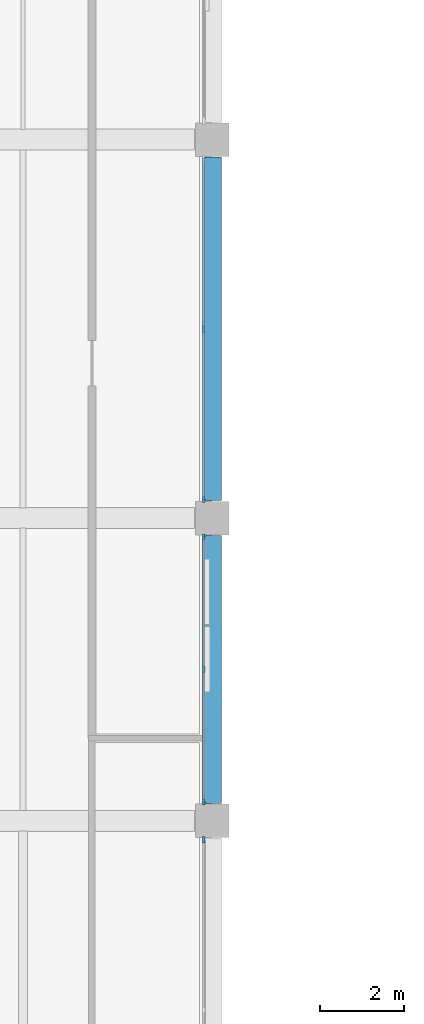
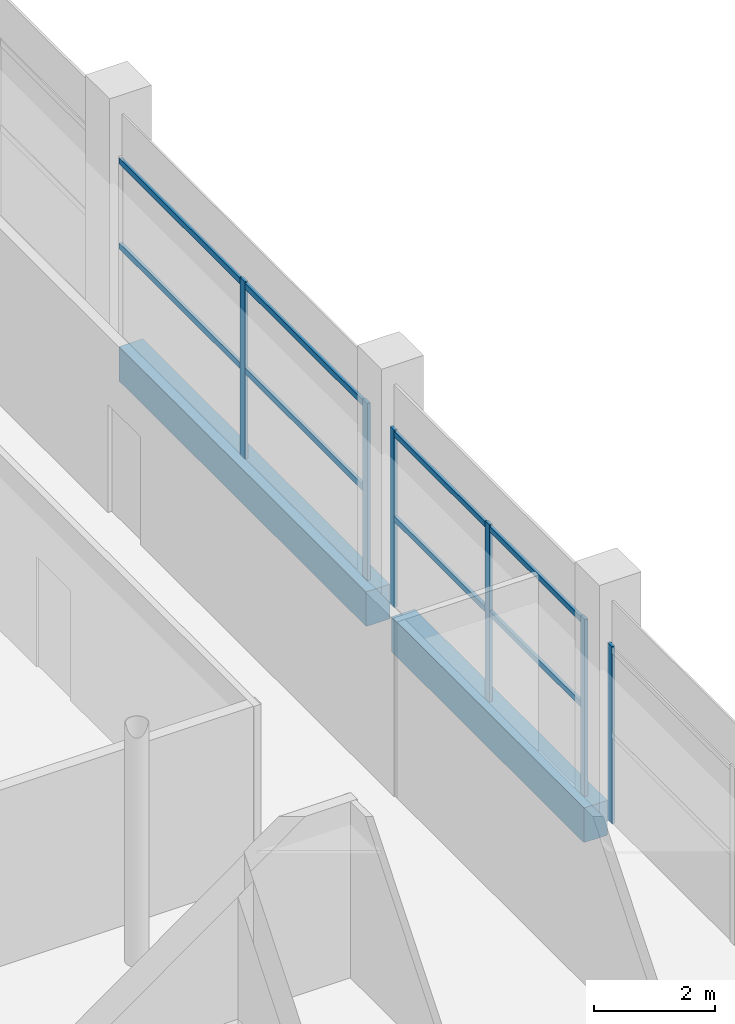
# One storey, part 13 of 114: 10 members, 2 beams, 3 elements without a shape of their own.
"""IFC4 building model written with IfcOpenShell, lengths in metres."""

import ifcopenshell
import ifcopenshell.guid

model = None  # the IFC model being written
_history = None  # IfcOwnerHistory: only IFC2X3 demands one
_inside = {}  # id of a spatial element -> (the spatial element, [elements in it])
_under = {}  # id of a project, library or spatial element -> (it, [spatial elements below it])
_declared = {}  # id of a project -> (the project, [libraries it declares])
_typed = {}  # id of a type object -> (the type object, [elements of that type])
_made_of = {}  # id of a material, layer set ... -> (it, [elements and type objects made of it])


def new_model(schema):
    """Start an empty IFC model of exactly this schema.

    Asked for "IFC4X3", IfcOpenShell would pick the latest addendum, in which some entities
    have other attributes; the version numbers below select the first issue.
    IFC2X3 requires an IfcOwnerHistory on every rooted entity: one is made here for all.
    """
    global model, _history
    if schema == "IFC4X3":
        model = ifcopenshell.file(schema_version=(4, 3, 0, 0))
    else:
        model = ifcopenshell.file(schema=schema)
    _inside.clear()
    _under.clear()
    _declared.clear()
    _typed.clear()
    _made_of.clear()
    _history = None
    if model.schema == "IFC2X3":
        org = make("IfcOrganization", Name="unknown")
        user = make(
            "IfcPersonAndOrganization",
            ThePerson=make("IfcPerson", FamilyName="unknown"),
            TheOrganization=org,
        )
        app = make(
            "IfcApplication",
            ApplicationDeveloper=org,
            Version="unknown",
            ApplicationFullName="unknown",
            ApplicationIdentifier="unknown",
        )
        _history = make(
            "IfcOwnerHistory",
            OwningUser=user,
            OwningApplication=app,
            ChangeAction="ADDED",
            CreationDate=0,
        )
    return model


def make(cls, **values):
    """One entity of the class cls with the attributes given. An attribute that is None is left unset."""
    return model.create_entity(
        cls, **{name: value for name, value in values.items() if value is not None}
    )


def rooted(cls, **values):
    """An entity with a GlobalId (a new one), such as an element, a storey or a relation."""
    return make(cls, GlobalId=ifcopenshell.guid.new(), OwnerHistory=_history, **values)


def si_unit(unit_type, name, prefix=None):
    """IfcSIUnit, for example si_unit("LENGTHUNIT", "METRE", prefix="MILLI")."""
    return make("IfcSIUnit", UnitType=unit_type, Prefix=prefix, Name=name)


def assignment(units):
    """IfcUnitAssignment: the units of a project."""
    return None if units is None else make("IfcUnitAssignment", Units=units)


def point(xyz):
    """IfcCartesianPoint."""
    return None if xyz is None else make("IfcCartesianPoint", Coordinates=xyz)


def direction(xyz):
    """IfcDirection."""
    return None if xyz is None else make("IfcDirection", DirectionRatios=xyz)


def frame(location, z_axis=None, x_axis=None):
    """IfcAxis2Placement3D, a coordinate frame: its origin and axes. An axis left out is left unset."""
    return make(
        "IfcAxis2Placement3D",
        Location=point(location),
        Axis=direction(z_axis),
        RefDirection=direction(x_axis),
    )


def frame_2d(location, x_axis=None):
    """IfcAxis2Placement2D, a coordinate frame in the plane: its origin and x axis."""
    return make(
        "IfcAxis2Placement2D", Location=point(location), RefDirection=direction(x_axis)
    )


def origin():
    """The frame at (0, 0, 0) with its axes left unset."""
    return frame((0.0, 0.0, 0.0))


def origin_2d():
    """The frame at (0, 0) in the plane with its x axis left unset."""
    return frame_2d((0.0, 0.0))


def place(relative_to, where):
    """IfcLocalPlacement: puts the frame where relative to a parent placement (None: the world)."""
    return make(
        "IfcLocalPlacement", PlacementRelTo=relative_to, RelativePlacement=where
    )


def context(
    kind, dimensions, precision=None, world=None, true_north=None, identifier=None
):
    """IfcGeometricRepresentationContext, for example the 3D "Model" context."""
    return make(
        "IfcGeometricRepresentationContext",
        ContextIdentifier=identifier,
        ContextType=kind,
        CoordinateSpaceDimension=dimensions,
        Precision=precision,
        WorldCoordinateSystem=world,
        TrueNorth=true_north,
    )


def subcontext(parent, identifier, kind, view, scale=None):
    """IfcGeometricRepresentationSubContext, for example "Body" below "Model"."""
    return make(
        "IfcGeometricRepresentationSubContext",
        ContextIdentifier=identifier,
        ContextType=kind,
        ParentContext=parent,
        TargetScale=scale,
        TargetView=view,
    )


def project(units=None, contexts=None):
    """IfcProject with its units and contexts."""
    return rooted(
        "IfcProject",
        Name="project",
        RepresentationContexts=contexts,
        UnitsInContext=assignment(units),
    )


def spatial(cls, under=None, at=None, **own):
    """A site, building, storey or space (cls), placed at a placement, below another one or the project."""
    s = rooted(cls, ObjectPlacement=at, **own)
    if under is not None:
        _under.setdefault(under.id(), (under, []))[1].append(s)
    return s


def profile(cls, at=None, kind="AREA", **sizes):
    """A parametric profile (cls). Its sizes go by their IFC names, for example OverallWidth=200.0."""
    return make(cls, ProfileType=kind, Position=at, **sizes)


def rectangle(**sizes):
    """IfcRectangleProfileDef."""
    return profile("IfcRectangleProfileDef", **sizes)


def extrude(swept, where, along, depth):
    """IfcExtrudedAreaSolid: the profile swept, set in the frame where, extruded along a direction by depth."""
    return make(
        "IfcExtrudedAreaSolid",
        SweptArea=swept,
        Position=where,
        ExtrudedDirection=direction(along),
        Depth=depth,
    )


def shape(context_of_items, identifier, shape_type, items):
    """IfcShapeRepresentation: the items that make up one representation, for example the "Body"."""
    return make(
        "IfcShapeRepresentation",
        ContextOfItems=context_of_items,
        RepresentationIdentifier=identifier,
        RepresentationType=shape_type,
        Items=items,
    )


def material(Name=None, Category=None):
    """IfcMaterial."""
    return make("IfcMaterial", Name=Name, Category=Category)


def material_profile(
    of_material, cross_section, Name=None, Category=None, Priority=None
):
    """IfcMaterialProfile: a cross section and its material."""
    return make(
        "IfcMaterialProfile",
        Name=Name,
        Material=of_material,
        Profile=cross_section,
        Priority=Priority,
        Category=Category,
    )


def profile_set(profiles, Name=None, composite=None):
    """IfcMaterialProfileSet."""
    return make(
        "IfcMaterialProfileSet",
        Name=Name,
        MaterialProfiles=profiles,
        CompositeProfile=composite,
    )


def made_of(thing, what):
    """Note that an element or type object is made of a material, layer set ...; save() writes the relation."""
    if what is not None:
        _made_of.setdefault(what.id(), (what, []))[1].append(thing)
    return thing


def type_object(cls, material=None, **own):
    """A type object (cls), such as IfcWallType, which elements share."""
    return made_of(rooted(cls, **own), material)


def element(
    cls,
    number,
    at=None,
    inside=None,
    cuts=None,
    type_object=None,
    material=None,
    context=None,
    identifier="Body",
    shape_type=None,
    held_by="IfcProductDefinitionShape",
    body=None,
    shapes=None,
    **own,
):
    """One element of the class cls, such as IfcWall. Its Tag is "e" and its number.

    at: its placement. inside: the storey or other place that contains it. cuts: it is an
    opening in that element (IfcRelVoidsElement). A single representation is given by context,
    identifier, shape_type and body (its items); several are given by shapes. held_by: the class
    of the entity that holds the representations. save() writes the other relations.
    """
    e = rooted(cls, Tag="e%d" % number, ObjectPlacement=at, **own)
    if body is not None:
        shapes = [shape(context, identifier, shape_type, body)]
    if shapes is not None:
        e.Representation = make(held_by, Representations=shapes)
    if inside is not None:
        _inside.setdefault(inside.id(), (inside, []))[1].append(e)
    if cuts is not None:
        rooted(
            "IfcRelVoidsElement", RelatingBuildingElement=cuts, RelatedOpeningElement=e
        )
    if type_object is not None:
        _typed.setdefault(type_object.id(), (type_object, []))[1].append(e)
    return made_of(e, material)


def aggregate(whole, parts):
    """IfcRelAggregates: a whole, such as a stair, and the parts it consists of."""
    return rooted("IfcRelAggregates", RelatingObject=whole, RelatedObjects=parts)


def save(model, path):
    """Write the relations noted so far, then the file.

    IfcRelAggregates (storeys below a building ...), IfcRelContainedInSpatialStructure (elements
    in a storey), IfcRelDefinesByType, IfcRelAssociatesMaterial and IfcRelDeclares: one each for
    every whole, place, type object, material and project.
    """
    for whole, parts in _under.values():
        aggregate(whole, parts)
    for where, things in _inside.values():
        rooted(
            "IfcRelContainedInSpatialStructure",
            RelatedElements=things,
            RelatingStructure=where,
        )
    for kind, things in _typed.values():
        rooted("IfcRelDefinesByType", RelatedObjects=things, RelatingType=kind)
    for what, things in _made_of.values():
        rooted("IfcRelAssociatesMaterial", RelatedObjects=things, RelatingMaterial=what)
    for by, libraries in _declared.values():
        rooted("IfcRelDeclares", RelatingContext=by, RelatedDefinitions=libraries)
    model.write(path)


model = new_model("IFC4")

# Units and contexts
model_context = context("Model", 3, precision=1e-05, world=origin(), true_north=direction((0.0, 1.0)))
body_context = subcontext(model_context, "Body", "Model", "MODEL_VIEW")
ifc_project = project(units=[si_unit("LENGTHUNIT", "METRE"), si_unit("AREAUNIT", "SQUARE_METRE"), si_unit("VOLUMEUNIT", "CUBIC_METRE"), si_unit("PLANEANGLEUNIT", "RADIAN"), si_unit("MASSUNIT", "GRAM", prefix="KILO"), si_unit("THERMODYNAMICTEMPERATUREUNIT", "KELVIN"), si_unit("POWERUNIT", "WATT")], contexts=[model_context])

# Site, building, storey
site_placement = place(None, origin())
site = spatial("IfcSite", under=ifc_project, at=site_placement, CompositionType="ELEMENT")
building_placement = place(site_placement, origin())
building = spatial("IfcBuilding", under=site, at=building_placement, Name="Sindhuravela Promenade Stadium", CompositionType="ELEMENT")
storey_placement = place(building_placement, frame((0.0, 0.0, 24.0)))
storey = spatial("IfcBuildingStorey", under=building, at=storey_placement, Name="L05", CompositionType="ELEMENT", Elevation=24.0)

# Curtain wall, members
ifc_material_1 = material(Name="Anodised architectural aluminium 6063-T6", Category="aluminium")
curtain_wall_type_1 = type_object("IfcCurtainWallType", Name="CW-MOD-2", PredefinedType="NOTDEFINED", material=ifc_material_1)
curtain_wall_1_placement = place(storey_placement, origin())
curtain_wall_1 = element("IfcCurtainWall", 1, at=curtain_wall_1_placement, inside=storey, type_object=curtain_wall_type_1, Name="Bronze curtain wall CW-WEST-L05-081", PredefinedType="NOTDEFINED")
ifc_material_profile_1 = material_profile(ifc_material_1, rectangle(XDim=0.06005859375, YDim=0.159912109375, at=origin_2d()), Name="ALU M60x160")
ifc_profile_set_1 = profile_set([ifc_material_profile_1], Name="Anodised architectural aluminium 6063-T6")
member_type_1 = type_object("IfcMemberType", Name="CW-MUL-4", PredefinedType="MULLION", material=ifc_profile_set_1)
member_1_placement = place(storey_placement, frame((35.800048828125, 72.89990234375, 0.0), z_axis=(0.0, 0.0, 1.0), x_axis=(1.0, 0.0, 0.0)))
member_1 = element("IfcMember", 2, at=member_1_placement, type_object=member_type_1, Name="Curtain wall mullion CW-WEST-L05-081-M2", PredefinedType="MULLION", context=body_context, shape_type="SweptSolid", body=[
    extrude(rectangle(XDim=0.06005859375, YDim=0.159912109375, at=origin_2d()), origin(), (0.0, 0.0, 1.0), 3.580078125),
])
member_2_placement = place(storey_placement, frame((35.800048828125, 68.85009765625, 0.0), z_axis=(0.0, 0.0, 1.0), x_axis=(1.0, 0.0, 0.0)))
member_2 = element("IfcMember", 3, at=member_2_placement, type_object=member_type_1, Name="Curtain wall mullion CW-WEST-L05-081-M3", PredefinedType="MULLION", context=body_context, shape_type="SweptSolid", body=[
    extrude(rectangle(XDim=0.06005859375, YDim=0.159912109375, at=origin_2d()), origin(), (0.0, 0.0, 1.0), 3.580078125),
])

curtain_wall_type_2 = type_object("IfcCurtainWallType", Name="CW-MOD-3", PredefinedType="NOTDEFINED", material=ifc_material_1)
curtain_wall_2_placement = place(storey_placement, origin())
curtain_wall_2 = element("IfcCurtainWall", 4, at=curtain_wall_2_placement, inside=storey, type_object=curtain_wall_type_2, Name="Bronze curtain wall CW-WEST-L05-082", PredefinedType="NOTDEFINED")
ifc_material_profile_2 = material_profile(ifc_material_1, rectangle(XDim=0.06005859375, YDim=0.139892578125, at=origin_2d()), Name="ALU M60x140")
ifc_profile_set_2 = profile_set([ifc_material_profile_2], Name="Anodised architectural aluminium 6063-T6")
member_type_2 = type_object("IfcMemberType", Name="CW-MUL-5", PredefinedType="MULLION", material=ifc_profile_set_2)
member_3_placement = place(storey_placement, frame((35.800048828125, 67.949951171875, 0.0), z_axis=(0.0, 0.0, 1.0), x_axis=(1.0, 0.0, 0.0)))
member_3 = element("IfcMember", 5, at=member_3_placement, type_object=member_type_2, Name="Curtain wall mullion CW-WEST-L05-082-M1", PredefinedType="MULLION", context=body_context, shape_type="SweptSolid", body=[
    extrude(rectangle(XDim=0.06005859375, YDim=0.139892578125, at=origin_2d()), origin(), (0.0, 0.0, 1.0), 3.580078125),
])
member_4_placement = place(storey_placement, frame((35.800048828125, 64.800048828125, 0.0), z_axis=(0.0, 0.0, 1.0), x_axis=(1.0, 0.0, 0.0)))
member_4 = element("IfcMember", 6, at=member_4_placement, type_object=member_type_2, Name="Curtain wall mullion CW-WEST-L05-082-M2", PredefinedType="MULLION", context=body_context, shape_type="SweptSolid", body=[
    extrude(rectangle(XDim=0.06005859375, YDim=0.139892578125, at=origin_2d()), origin(), (0.0, 0.0, 1.0), 3.580078125),
])
member_5_placement = place(storey_placement, frame((35.800048828125, 61.64990234375, 0.0), z_axis=(0.0, 0.0, 1.0), x_axis=(1.0, 0.0, 0.0)))
member_5 = element("IfcMember", 7, at=member_5_placement, type_object=member_type_2, Name="Curtain wall mullion CW-WEST-L05-082-M3", PredefinedType="MULLION", context=body_context, shape_type="SweptSolid", body=[
    extrude(rectangle(XDim=0.06005859375, YDim=0.139892578125, at=origin_2d()), origin(), (0.0, 0.0, 1.0), 3.580078125),
])

# Curtain wall, member
curtain_wall_type_3 = type_object("IfcCurtainWallType", Name="CW-MOD-4", PredefinedType="NOTDEFINED", material=ifc_material_1)
curtain_wall_3_placement = place(storey_placement, origin())
curtain_wall_3 = element("IfcCurtainWall", 8, at=curtain_wall_3_placement, inside=storey, type_object=curtain_wall_type_3, Name="Bronze curtain wall CW-WEST-L05-083", PredefinedType="NOTDEFINED")
ifc_material_profile_3 = material_profile(ifc_material_1, rectangle(XDim=0.054931640625, YDim=0.14990234375, at=origin_2d()), Name="ALU M55x150")
ifc_profile_set_3 = profile_set([ifc_material_profile_3], Name="Anodised architectural aluminium 6063-T6")
member_type_3 = type_object("IfcMemberType", Name="CW-MUL-6", PredefinedType="MULLION", material=ifc_profile_set_3)
member_6_placement = place(storey_placement, frame((35.800048828125, 60.75, 0.0), z_axis=(0.0, 0.0, 1.0), x_axis=(1.0, 0.0, 0.0)))
member_6 = element("IfcMember", 9, at=member_6_placement, type_object=member_type_3, Name="Curtain wall mullion CW-WEST-L05-083-M1", PredefinedType="MULLION", context=body_context, shape_type="SweptSolid", body=[
    extrude(rectangle(XDim=0.054931640625, YDim=0.14990234375, at=origin_2d()), origin(), (0.0, 0.0, 1.0), 3.580078125),
])
aggregate(curtain_wall_3, [member_6])

# Member
ifc_material_profile_4 = material_profile(ifc_material_1, rectangle(XDim=0.06005859375, YDim=0.1201171875, at=origin_2d()), Name="ALU T60x120")
ifc_profile_set_4 = profile_set([ifc_material_profile_4], Name="Anodised architectural aluminium 6063-T6")
member_type_4 = type_object("IfcMemberType", Name="CW-TRN-4", PredefinedType="USERDEFINED", material=ifc_profile_set_4)
member_7_placement = place(storey_placement, frame((35.800048828125, 76.97509765625, 1.7900390625), z_axis=(0.0, -1.0, 0.0), x_axis=(1.0, 0.0, 0.0)))
member_7 = element("IfcMember", 10, at=member_7_placement, type_object=member_type_4, Name="Curtain wall transom CW-WEST-L05-081-T1", ObjectType="TRANSOM", PredefinedType="USERDEFINED", context=body_context, shape_type="SweptSolid", body=[
    extrude(rectangle(XDim=0.06005859375, YDim=0.1201171875, at=origin_2d()), origin(), (0.0, 0.0, 1.0), 8.150146484375),
])

member_8_placement = place(storey_placement, frame((35.800048828125, 76.97509765625, 3.5), z_axis=(0.0, -1.0, 0.0), x_axis=(1.0, 0.0, 0.0)))
member_8 = element("IfcMember", 11, at=member_8_placement, type_object=member_type_4, Name="Curtain wall transom CW-WEST-L05-081-T2", ObjectType="TRANSOM", PredefinedType="USERDEFINED", context=body_context, shape_type="SweptSolid", body=[
    extrude(rectangle(XDim=0.06005859375, YDim=0.1201171875, at=origin_2d()), origin(), (0.0, 0.0, 1.0), 8.150146484375),
])

aggregate(curtain_wall_1, [member_1, member_2, member_7, member_8])

ifc_material_profile_5 = material_profile(ifc_material_1, rectangle(XDim=0.06005859375, YDim=0.110107421875, at=origin_2d()), Name="ALU T60x110")
ifc_profile_set_5 = profile_set([ifc_material_profile_5], Name="Anodised architectural aluminium 6063-T6")
member_type_5 = type_object("IfcMemberType", Name="CW-TRN-5", PredefinedType="USERDEFINED", material=ifc_profile_set_5)
member_9_placement = place(storey_placement, frame((35.800048828125, 67.97509765625, 1.7900390625), z_axis=(0.0, -1.0, 0.0), x_axis=(1.0, 0.0, 0.0)))
member_9 = element("IfcMember", 12, at=member_9_placement, type_object=member_type_5, Name="Curtain wall transom CW-WEST-L05-082-T1", ObjectType="TRANSOM", PredefinedType="USERDEFINED", context=body_context, shape_type="SweptSolid", body=[
    extrude(rectangle(XDim=0.06005859375, YDim=0.110107421875, at=origin_2d()), origin(), (0.0, 0.0, 1.0), 6.35009765625),
])

member_10_placement = place(storey_placement, frame((35.800048828125, 67.97509765625, 3.5), z_axis=(0.0, -1.0, 0.0), x_axis=(1.0, 0.0, 0.0)))
member_10 = element("IfcMember", 13, at=member_10_placement, type_object=member_type_5, Name="Curtain wall transom CW-WEST-L05-082-T2", ObjectType="TRANSOM", PredefinedType="USERDEFINED", context=body_context, shape_type="SweptSolid", body=[
    extrude(rectangle(XDim=0.06005859375, YDim=0.110107421875, at=origin_2d()), origin(), (0.0, 0.0, 1.0), 6.35009765625),
])

aggregate(curtain_wall_2, [member_3, member_4, member_5, member_9, member_10])

# Beams
ifc_material_2 = material(Name="Concrete M40", Category="concrete")
ifc_material_profile_6 = material_profile(ifc_material_2, rectangle(XDim=0.449951171875, YDim=0.699951171875, at=origin_2d()), Name="RC 450x700")
ifc_profile_set_6 = profile_set([ifc_material_profile_6], Name="Concrete M40")
beam_type = type_object("IfcBeamType", Name="RC-BM-450x700", PredefinedType="BEAM", material=ifc_profile_set_6)
beam_1_placement = place(storey_placement, frame((36.0, 61.614990234375, -0.60009765625), z_axis=(0.0, 1.0, 0.0), x_axis=(-1.0, 0.0, 0.0)))
element("IfcBeam", 14, at=beam_1_placement, inside=storey, type_object=beam_type, Name="Primary beam GB07 WEST L05", PredefinedType="BEAM", context=body_context, shape_type="SweptSolid", body=[
    extrude(rectangle(XDim=0.449951171875, YDim=0.699951171875, at=origin_2d()), origin(), (0.0, 0.0, 1.0), 6.3701171875),
])
beam_2_placement = place(storey_placement, frame((36.0, 68.81494140625, -0.60009765625), z_axis=(0.0, 1.0, 0.0), x_axis=(-1.0, 0.0, 0.0)))
element("IfcBeam", 15, at=beam_2_placement, inside=storey, type_object=beam_type, Name="Primary beam GB07 WEST L05", PredefinedType="BEAM", context=body_context, shape_type="SweptSolid", body=[
    extrude(rectangle(XDim=0.449951171875, YDim=0.699951171875, at=origin_2d()), origin(), (0.0, 0.0, 1.0), 8.170166015625),
])

save(model, "model.ifc")
